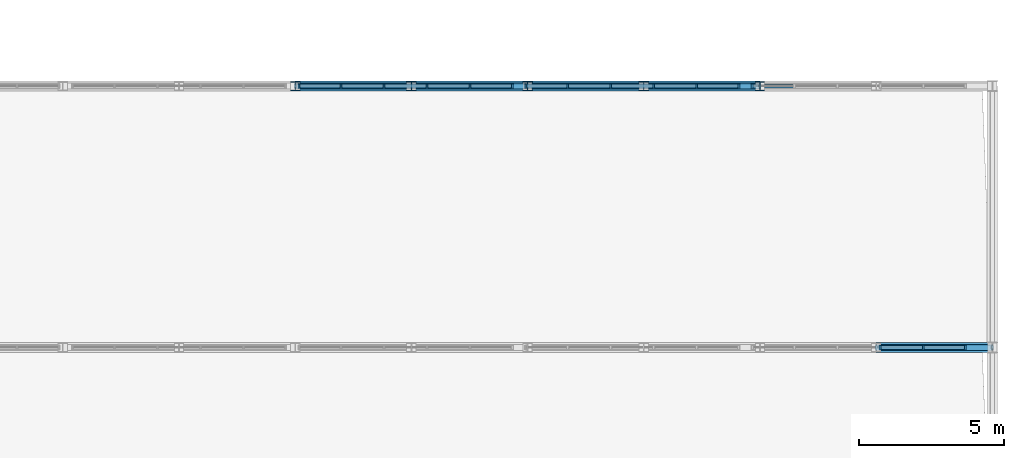
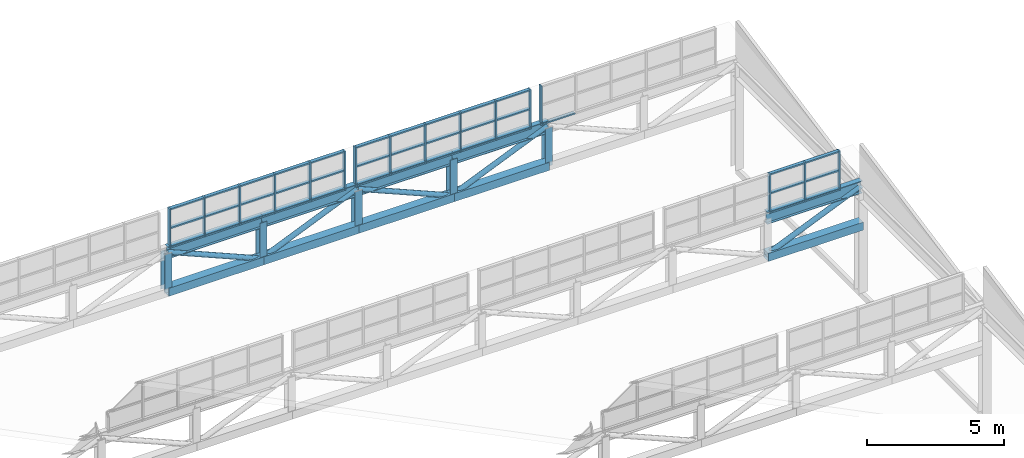
# One storey, part 92 of 159: 73 members, 4 elements without a shape of their own.
"""IFC4 building model written with IfcOpenShell, lengths in metres."""

import ifcopenshell
import ifcopenshell.guid

model = None  # the IFC model being written
_history = None  # IfcOwnerHistory: only IFC2X3 demands one
_inside = {}  # id of a spatial element -> (the spatial element, [elements in it])
_under = {}  # id of a project, library or spatial element -> (it, [spatial elements below it])
_declared = {}  # id of a project -> (the project, [libraries it declares])
_typed = {}  # id of a type object -> (the type object, [elements of that type])
_made_of = {}  # id of a material, layer set ... -> (it, [elements and type objects made of it])


def new_model(schema):
    """Start an empty IFC model of exactly this schema.

    Asked for "IFC4X3", IfcOpenShell would pick the latest addendum, in which some entities
    have other attributes; the version numbers below select the first issue.
    IFC2X3 requires an IfcOwnerHistory on every rooted entity: one is made here for all.
    """
    global model, _history
    if schema == "IFC4X3":
        model = ifcopenshell.file(schema_version=(4, 3, 0, 0))
    else:
        model = ifcopenshell.file(schema=schema)
    _inside.clear()
    _under.clear()
    _declared.clear()
    _typed.clear()
    _made_of.clear()
    _history = None
    if model.schema == "IFC2X3":
        org = make("IfcOrganization", Name="unknown")
        user = make(
            "IfcPersonAndOrganization",
            ThePerson=make("IfcPerson", FamilyName="unknown"),
            TheOrganization=org,
        )
        app = make(
            "IfcApplication",
            ApplicationDeveloper=org,
            Version="unknown",
            ApplicationFullName="unknown",
            ApplicationIdentifier="unknown",
        )
        _history = make(
            "IfcOwnerHistory",
            OwningUser=user,
            OwningApplication=app,
            ChangeAction="ADDED",
            CreationDate=0,
        )
    return model


def make(cls, **values):
    """One entity of the class cls with the attributes given. An attribute that is None is left unset."""
    return model.create_entity(
        cls, **{name: value for name, value in values.items() if value is not None}
    )


def rooted(cls, **values):
    """An entity with a GlobalId (a new one), such as an element, a storey or a relation."""
    return make(cls, GlobalId=ifcopenshell.guid.new(), OwnerHistory=_history, **values)


def si_unit(unit_type, name, prefix=None):
    """IfcSIUnit, for example si_unit("LENGTHUNIT", "METRE", prefix="MILLI")."""
    return make("IfcSIUnit", UnitType=unit_type, Prefix=prefix, Name=name)


def assignment(units):
    """IfcUnitAssignment: the units of a project."""
    return None if units is None else make("IfcUnitAssignment", Units=units)


def point(xyz):
    """IfcCartesianPoint."""
    return None if xyz is None else make("IfcCartesianPoint", Coordinates=xyz)


def direction(xyz):
    """IfcDirection."""
    return None if xyz is None else make("IfcDirection", DirectionRatios=xyz)


def frame(location, z_axis=None, x_axis=None):
    """IfcAxis2Placement3D, a coordinate frame: its origin and axes. An axis left out is left unset."""
    return make(
        "IfcAxis2Placement3D",
        Location=point(location),
        Axis=direction(z_axis),
        RefDirection=direction(x_axis),
    )


def frame_2d(location, x_axis=None):
    """IfcAxis2Placement2D, a coordinate frame in the plane: its origin and x axis."""
    return make(
        "IfcAxis2Placement2D", Location=point(location), RefDirection=direction(x_axis)
    )


def origin():
    """The frame at (0, 0, 0) with its axes left unset."""
    return frame((0.0, 0.0, 0.0))


def origin_2d():
    """The frame at (0, 0) in the plane with its x axis left unset."""
    return frame_2d((0.0, 0.0))


def place(relative_to, where):
    """IfcLocalPlacement: puts the frame where relative to a parent placement (None: the world)."""
    return make(
        "IfcLocalPlacement", PlacementRelTo=relative_to, RelativePlacement=where
    )


def context(
    kind, dimensions, precision=None, world=None, true_north=None, identifier=None
):
    """IfcGeometricRepresentationContext, for example the 3D "Model" context."""
    return make(
        "IfcGeometricRepresentationContext",
        ContextIdentifier=identifier,
        ContextType=kind,
        CoordinateSpaceDimension=dimensions,
        Precision=precision,
        WorldCoordinateSystem=world,
        TrueNorth=true_north,
    )


def subcontext(parent, identifier, kind, view, scale=None):
    """IfcGeometricRepresentationSubContext, for example "Body" below "Model"."""
    return make(
        "IfcGeometricRepresentationSubContext",
        ContextIdentifier=identifier,
        ContextType=kind,
        ParentContext=parent,
        TargetScale=scale,
        TargetView=view,
    )


def project(units=None, contexts=None):
    """IfcProject with its units and contexts."""
    return rooted(
        "IfcProject",
        Name="project",
        RepresentationContexts=contexts,
        UnitsInContext=assignment(units),
    )


def spatial(cls, under=None, at=None, **own):
    """A site, building, storey or space (cls), placed at a placement, below another one or the project."""
    s = rooted(cls, ObjectPlacement=at, **own)
    if under is not None:
        _under.setdefault(under.id(), (under, []))[1].append(s)
    return s


def profile(cls, at=None, kind="AREA", **sizes):
    """A parametric profile (cls). Its sizes go by their IFC names, for example OverallWidth=200.0."""
    return make(cls, ProfileType=kind, Position=at, **sizes)


def rectangle(**sizes):
    """IfcRectangleProfileDef."""
    return profile("IfcRectangleProfileDef", **sizes)


def hollow_rectangle(**sizes):
    """IfcRectangleHollowProfileDef."""
    return profile("IfcRectangleHollowProfileDef", **sizes)


def hollow_circle(**sizes):
    """IfcCircleHollowProfileDef."""
    return profile("IfcCircleHollowProfileDef", **sizes)


def i_section(**sizes):
    """IfcIShapeProfileDef."""
    return profile("IfcIShapeProfileDef", **sizes)


def extrude(swept, where, along, depth):
    """IfcExtrudedAreaSolid: the profile swept, set in the frame where, extruded along a direction by depth."""
    return make(
        "IfcExtrudedAreaSolid",
        SweptArea=swept,
        Position=where,
        ExtrudedDirection=direction(along),
        Depth=depth,
    )


def shape(context_of_items, identifier, shape_type, items):
    """IfcShapeRepresentation: the items that make up one representation, for example the "Body"."""
    return make(
        "IfcShapeRepresentation",
        ContextOfItems=context_of_items,
        RepresentationIdentifier=identifier,
        RepresentationType=shape_type,
        Items=items,
    )


def material(Name=None, Category=None):
    """IfcMaterial."""
    return make("IfcMaterial", Name=Name, Category=Category)


def layer(
    of_material, thickness, ventilated=None, Name=None, Category=None, Priority=None
):
    """IfcMaterialLayer: one layer of a wall or slab, of a material (None: an air gap)."""
    return make(
        "IfcMaterialLayer",
        Material=of_material,
        LayerThickness=thickness,
        IsVentilated=ventilated,
        Name=Name,
        Category=Category,
        Priority=Priority,
    )


def layer_set(layers, Name=None):
    """IfcMaterialLayerSet."""
    return make("IfcMaterialLayerSet", MaterialLayers=layers, LayerSetName=Name)


def material_profile(
    of_material, cross_section, Name=None, Category=None, Priority=None
):
    """IfcMaterialProfile: a cross section and its material."""
    return make(
        "IfcMaterialProfile",
        Name=Name,
        Material=of_material,
        Profile=cross_section,
        Priority=Priority,
        Category=Category,
    )


def profile_set(profiles, Name=None, composite=None):
    """IfcMaterialProfileSet."""
    return make(
        "IfcMaterialProfileSet",
        Name=Name,
        MaterialProfiles=profiles,
        CompositeProfile=composite,
    )


def made_of(thing, what):
    """Note that an element or type object is made of a material, layer set ...; save() writes the relation."""
    if what is not None:
        _made_of.setdefault(what.id(), (what, []))[1].append(thing)
    return thing


def type_object(cls, material=None, **own):
    """A type object (cls), such as IfcWallType, which elements share."""
    return made_of(rooted(cls, **own), material)


def element(
    cls,
    number,
    at=None,
    inside=None,
    cuts=None,
    type_object=None,
    material=None,
    context=None,
    identifier="Body",
    shape_type=None,
    held_by="IfcProductDefinitionShape",
    body=None,
    shapes=None,
    **own,
):
    """One element of the class cls, such as IfcWall. Its Tag is "e" and its number.

    at: its placement. inside: the storey or other place that contains it. cuts: it is an
    opening in that element (IfcRelVoidsElement). A single representation is given by context,
    identifier, shape_type and body (its items); several are given by shapes. held_by: the class
    of the entity that holds the representations. save() writes the other relations.
    """
    e = rooted(cls, Tag="e%d" % number, ObjectPlacement=at, **own)
    if body is not None:
        shapes = [shape(context, identifier, shape_type, body)]
    if shapes is not None:
        e.Representation = make(held_by, Representations=shapes)
    if inside is not None:
        _inside.setdefault(inside.id(), (inside, []))[1].append(e)
    if cuts is not None:
        rooted(
            "IfcRelVoidsElement", RelatingBuildingElement=cuts, RelatedOpeningElement=e
        )
    if type_object is not None:
        _typed.setdefault(type_object.id(), (type_object, []))[1].append(e)
    return made_of(e, material)


def aggregate(whole, parts):
    """IfcRelAggregates: a whole, such as a stair, and the parts it consists of."""
    return rooted("IfcRelAggregates", RelatingObject=whole, RelatedObjects=parts)


def save(model, path):
    """Write the relations noted so far, then the file.

    IfcRelAggregates (storeys below a building ...), IfcRelContainedInSpatialStructure (elements
    in a storey), IfcRelDefinesByType, IfcRelAssociatesMaterial and IfcRelDeclares: one each for
    every whole, place, type object, material and project.
    """
    for whole, parts in _under.values():
        aggregate(whole, parts)
    for where, things in _inside.values():
        rooted(
            "IfcRelContainedInSpatialStructure",
            RelatedElements=things,
            RelatingStructure=where,
        )
    for kind, things in _typed.values():
        rooted("IfcRelDefinesByType", RelatedObjects=things, RelatingType=kind)
    for what, things in _made_of.values():
        rooted("IfcRelAssociatesMaterial", RelatedObjects=things, RelatingMaterial=what)
    for by, libraries in _declared.values():
        rooted("IfcRelDeclares", RelatingContext=by, RelatedDefinitions=libraries)
    model.write(path)


model = new_model("IFC4")

# Units and contexts
model_context = context("Model", 3, precision=1e-05, world=origin(), true_north=direction((0.0, 1.0)))
body_context = subcontext(model_context, "Body", "Model", "MODEL_VIEW")
ifc_project = project(units=[si_unit("LENGTHUNIT", "METRE"), si_unit("AREAUNIT", "SQUARE_METRE"), si_unit("VOLUMEUNIT", "CUBIC_METRE"), si_unit("PLANEANGLEUNIT", "RADIAN"), si_unit("MASSUNIT", "GRAM", prefix="KILO")], contexts=[model_context])

# Site, building, storey
site_placement = place(None, origin())
site = spatial("IfcSite", under=ifc_project, at=site_placement, CompositionType="ELEMENT")
building_placement = place(site_placement, origin())
building = spatial("IfcBuilding", under=site, at=building_placement, Name="Cazmaro Siding Exhibition Halls", CompositionType="ELEMENT")
storey_placement = place(building_placement, frame((0.0, 0.0, 6.0)))
storey = spatial("IfcBuildingStorey", under=building, at=storey_placement, Name="L01", CompositionType="ELEMENT", Elevation=6.0)

# Curtain wall, members
ifc_material_1 = material(Name="Anodized Bronze Aluminum and Solar-Control Low-E Glazing", Category="aluminium")
ifc_layer = layer(ifc_material_1, 0.159912109375)
ifc_layer_set = layer_set([ifc_layer], Name="Anodized Bronze Aluminum and Solar-Control Low-E Glazing")
curtain_wall_type = type_object("IfcCurtainWallType", Name="CWS-04", PredefinedType="USERDEFINED", material=ifc_layer_set)
curtain_wall_1_placement = place(storey_placement, origin())
curtain_wall_1 = element("IfcCurtainWall", 1, at=curtain_wall_1_placement, inside=storey, type_object=curtain_wall_type, Name="Clerestory Curtain Wall CWS-04 CW-134", ObjectType="CLERESTORY CURTAIN WALL", PredefinedType="USERDEFINED")
ifc_material_2 = material(Name="Anodized Bronze Extruded Aluminum", Category="aluminium")
ifc_material_profile_1 = material_profile(ifc_material_2, rectangle(XDim=0.159912109375, YDim=0.06005859375, at=origin_2d()), Name="CWM-04")
ifc_profile_set_1 = profile_set([ifc_material_profile_1], Name="Anodized Bronze Extruded Aluminum")
member_type_1 = type_object("IfcMemberType", Name="CWM-04", PredefinedType="MULLION", material=ifc_profile_set_1)
member_1_placement = place(storey_placement, frame((215.070068359375, 109.0, 4.800048828125), z_axis=(0.0, 0.0, 1.0), x_axis=(0.0, -1.0, 0.0)))
member_1 = element("IfcMember", 2, at=member_1_placement, type_object=member_type_1, Name="CWS-04 mullion 1", PredefinedType="MULLION", context=body_context, shape_type="SweptSolid", body=[
    extrude(rectangle(XDim=0.159912109375, YDim=0.06005859375, at=origin_2d()), origin(), (0.0, 0.0, 1.0), 1.75),
])
member_2_placement = place(storey_placement, frame((213.6201171875, 109.0, 4.800048828125), z_axis=(0.0, 0.0, 1.0), x_axis=(0.0, -1.0, 0.0)))
member_2 = element("IfcMember", 3, at=member_2_placement, type_object=member_type_1, Name="CWS-04 mullion 2", PredefinedType="MULLION", context=body_context, shape_type="SweptSolid", body=[
    extrude(rectangle(XDim=0.159912109375, YDim=0.06005859375, at=origin_2d()), origin(), (0.0, 0.0, 1.0), 1.75),
])
member_3_placement = place(storey_placement, frame((212.139892578125, 109.0, 4.800048828125), z_axis=(0.0, 0.0, 1.0), x_axis=(0.0, -1.0, 0.0)))
member_3 = element("IfcMember", 4, at=member_3_placement, type_object=member_type_1, Name="CWS-04 mullion 3", PredefinedType="MULLION", context=body_context, shape_type="SweptSolid", body=[
    extrude(rectangle(XDim=0.159912109375, YDim=0.06005859375, at=origin_2d()), origin(), (0.0, 0.0, 1.0), 1.75),
])

curtain_wall_2_placement = place(storey_placement, origin())
curtain_wall_2 = element("IfcCurtainWall", 5, at=curtain_wall_2_placement, inside=storey, type_object=curtain_wall_type, Name="Clerestory Curtain Wall CWS-04 CW-137", ObjectType="CLERESTORY CURTAIN WALL", PredefinedType="USERDEFINED")
member_4_placement = place(storey_placement, frame((199.469970703125, 118.0, 4.800048828125), z_axis=(0.0, 0.0, 1.0), x_axis=(0.0, -1.0, 0.0)))
member_4 = element("IfcMember", 6, at=member_4_placement, type_object=member_type_1, Name="CWS-04 mullion 1", PredefinedType="MULLION", context=body_context, shape_type="SweptSolid", body=[
    extrude(rectangle(XDim=0.159912109375, YDim=0.06005859375, at=origin_2d()), origin(), (0.0, 0.0, 1.0), 1.75),
])
member_5_placement = place(storey_placement, frame((198.02001953125, 118.0, 4.800048828125), z_axis=(0.0, 0.0, 1.0), x_axis=(0.0, -1.0, 0.0)))
member_5 = element("IfcMember", 7, at=member_5_placement, type_object=member_type_1, Name="CWS-04 mullion 2", PredefinedType="MULLION", context=body_context, shape_type="SweptSolid", body=[
    extrude(rectangle(XDim=0.159912109375, YDim=0.06005859375, at=origin_2d()), origin(), (0.0, 0.0, 1.0), 1.75),
])
member_6_placement = place(storey_placement, frame((196.5400390625, 118.0, 4.800048828125), z_axis=(0.0, 0.0, 1.0), x_axis=(0.0, -1.0, 0.0)))
member_6 = element("IfcMember", 8, at=member_6_placement, type_object=member_type_1, Name="CWS-04 mullion 3", PredefinedType="MULLION", context=body_context, shape_type="SweptSolid", body=[
    extrude(rectangle(XDim=0.159912109375, YDim=0.06005859375, at=origin_2d()), origin(), (0.0, 0.0, 1.0), 1.75),
])
member_7_placement = place(storey_placement, frame((195.06005859375, 118.0, 4.800048828125), z_axis=(0.0, 0.0, 1.0), x_axis=(0.0, -1.0, 0.0)))
member_7 = element("IfcMember", 9, at=member_7_placement, type_object=member_type_1, Name="CWS-04 mullion 4", PredefinedType="MULLION", context=body_context, shape_type="SweptSolid", body=[
    extrude(rectangle(XDim=0.159912109375, YDim=0.06005859375, at=origin_2d()), origin(), (0.0, 0.0, 1.0), 1.75),
])
member_8_placement = place(storey_placement, frame((193.580078125, 118.0, 4.800048828125), z_axis=(0.0, 0.0, 1.0), x_axis=(0.0, -1.0, 0.0)))
member_8 = element("IfcMember", 10, at=member_8_placement, type_object=member_type_1, Name="CWS-04 mullion 5", PredefinedType="MULLION", context=body_context, shape_type="SweptSolid", body=[
    extrude(rectangle(XDim=0.159912109375, YDim=0.06005859375, at=origin_2d()), origin(), (0.0, 0.0, 1.0), 1.75),
])
member_9_placement = place(storey_placement, frame((192.1298828125, 118.0, 4.800048828125), z_axis=(0.0, 0.0, 1.0), x_axis=(0.0, -1.0, 0.0)))
member_9 = element("IfcMember", 11, at=member_9_placement, type_object=member_type_1, Name="CWS-04 mullion 6", PredefinedType="MULLION", context=body_context, shape_type="SweptSolid", body=[
    extrude(rectangle(XDim=0.159912109375, YDim=0.06005859375, at=origin_2d()), origin(), (0.0, 0.0, 1.0), 1.75),
])

curtain_wall_3_placement = place(storey_placement, origin())
curtain_wall_3 = element("IfcCurtainWall", 12, at=curtain_wall_3_placement, inside=storey, type_object=curtain_wall_type, Name="Clerestory Curtain Wall CWS-04 CW-138", ObjectType="CLERESTORY CURTAIN WALL", PredefinedType="USERDEFINED")
member_10_placement = place(storey_placement, frame((207.27001953125, 118.0, 4.800048828125), z_axis=(0.0, 0.0, 1.0), x_axis=(0.0, -1.0, 0.0)))
member_10 = element("IfcMember", 13, at=member_10_placement, type_object=member_type_1, Name="CWS-04 mullion 1", PredefinedType="MULLION", context=body_context, shape_type="SweptSolid", body=[
    extrude(rectangle(XDim=0.159912109375, YDim=0.06005859375, at=origin_2d()), origin(), (0.0, 0.0, 1.0), 1.75),
])
member_11_placement = place(storey_placement, frame((205.820068359375, 118.0, 4.800048828125), z_axis=(0.0, 0.0, 1.0), x_axis=(0.0, -1.0, 0.0)))
member_11 = element("IfcMember", 14, at=member_11_placement, type_object=member_type_1, Name="CWS-04 mullion 2", PredefinedType="MULLION", context=body_context, shape_type="SweptSolid", body=[
    extrude(rectangle(XDim=0.159912109375, YDim=0.06005859375, at=origin_2d()), origin(), (0.0, 0.0, 1.0), 1.75),
])
member_12_placement = place(storey_placement, frame((204.340087890625, 118.0, 4.800048828125), z_axis=(0.0, 0.0, 1.0), x_axis=(0.0, -1.0, 0.0)))
member_12 = element("IfcMember", 15, at=member_12_placement, type_object=member_type_1, Name="CWS-04 mullion 3", PredefinedType="MULLION", context=body_context, shape_type="SweptSolid", body=[
    extrude(rectangle(XDim=0.159912109375, YDim=0.06005859375, at=origin_2d()), origin(), (0.0, 0.0, 1.0), 1.75),
])
member_13_placement = place(storey_placement, frame((202.860107421875, 118.0, 4.800048828125), z_axis=(0.0, 0.0, 1.0), x_axis=(0.0, -1.0, 0.0)))
member_13 = element("IfcMember", 16, at=member_13_placement, type_object=member_type_1, Name="CWS-04 mullion 4", PredefinedType="MULLION", context=body_context, shape_type="SweptSolid", body=[
    extrude(rectangle(XDim=0.159912109375, YDim=0.06005859375, at=origin_2d()), origin(), (0.0, 0.0, 1.0), 1.75),
])
member_14_placement = place(storey_placement, frame((201.3798828125, 118.0, 4.800048828125), z_axis=(0.0, 0.0, 1.0), x_axis=(0.0, -1.0, 0.0)))
member_14 = element("IfcMember", 17, at=member_14_placement, type_object=member_type_1, Name="CWS-04 mullion 5", PredefinedType="MULLION", context=body_context, shape_type="SweptSolid", body=[
    extrude(rectangle(XDim=0.159912109375, YDim=0.06005859375, at=origin_2d()), origin(), (0.0, 0.0, 1.0), 1.75),
])
member_15_placement = place(storey_placement, frame((199.929931640625, 118.0, 4.800048828125), z_axis=(0.0, 0.0, 1.0), x_axis=(0.0, -1.0, 0.0)))
member_15 = element("IfcMember", 18, at=member_15_placement, type_object=member_type_1, Name="CWS-04 mullion 6", PredefinedType="MULLION", context=body_context, shape_type="SweptSolid", body=[
    extrude(rectangle(XDim=0.159912109375, YDim=0.06005859375, at=origin_2d()), origin(), (0.0, 0.0, 1.0), 1.75),
])

# Curtain wall, member
curtain_wall_4_placement = place(storey_placement, origin())
curtain_wall_4 = element("IfcCurtainWall", 19, at=curtain_wall_4_placement, inside=storey, type_object=curtain_wall_type, Name="Clerestory Curtain Wall CWS-04 CW-139", ObjectType="CLERESTORY CURTAIN WALL", PredefinedType="USERDEFINED")
member_16_placement = place(storey_placement, frame((207.72998046875, 118.0, 4.800048828125), z_axis=(0.0, 0.0, 1.0), x_axis=(0.0, -1.0, 0.0)))
member_16 = element("IfcMember", 20, at=member_16_placement, type_object=member_type_1, Name="CWS-04 mullion 6", PredefinedType="MULLION", context=body_context, shape_type="SweptSolid", body=[
    extrude(rectangle(XDim=0.159912109375, YDim=0.06005859375, at=origin_2d()), origin(), (0.0, 0.0, 1.0), 1.75),
])

# Member
ifc_material_3 = material(Name="Anodized Bronze Extruded Aluminum", Category="aluminium")
ifc_material_profile_2 = material_profile(ifc_material_3, rectangle(XDim=0.139892578125, YDim=0.06005859375, at=origin_2d()), Name="CWT-04")
ifc_profile_set_2 = profile_set([ifc_material_profile_2], Name="Anodized Bronze Extruded Aluminum")
member_type_2 = type_object("IfcMemberType", Name="CWT-04", PredefinedType="MULLION", material=ifc_profile_set_2)
member_17_placement = place(storey_placement, frame((215.0400390625, 109.0, 4.830078125), z_axis=(-1.0, 0.0, 0.0), x_axis=(0.0, -1.0, 0.0)))
member_17 = element("IfcMember", 21, at=member_17_placement, type_object=member_type_2, Name="CWS-04 transom 1.1", ObjectType="TRANSOM", PredefinedType="USERDEFINED", context=body_context, shape_type="SweptSolid", body=[
    extrude(rectangle(XDim=0.139892578125, YDim=0.06005859375, at=origin_2d()), origin(), (0.0, 0.0, 1.0), 1.39013671875),
])

member_18_placement = place(storey_placement, frame((215.0400390625, 109.0, 5.679931640625), z_axis=(-1.0, 0.0, 0.0), x_axis=(0.0, -1.0, 0.0)))
member_18 = element("IfcMember", 22, at=member_18_placement, type_object=member_type_2, Name="CWS-04 transom 1.2", ObjectType="TRANSOM", PredefinedType="USERDEFINED", context=body_context, shape_type="SweptSolid", body=[
    extrude(rectangle(XDim=0.139892578125, YDim=0.06005859375, at=origin_2d()), origin(), (0.0, 0.0, 1.0), 1.39013671875),
])

member_19_placement = place(storey_placement, frame((215.0400390625, 109.0, 6.52001953125), z_axis=(-1.0, 0.0, 0.0), x_axis=(0.0, -1.0, 0.0)))
member_19 = element("IfcMember", 23, at=member_19_placement, type_object=member_type_2, Name="CWS-04 transom 1.3", ObjectType="TRANSOM", PredefinedType="USERDEFINED", context=body_context, shape_type="SweptSolid", body=[
    extrude(rectangle(XDim=0.139892578125, YDim=0.06005859375, at=origin_2d()), origin(), (0.0, 0.0, 1.0), 1.39013671875),
])

member_20_placement = place(storey_placement, frame((213.590087890625, 109.0, 4.830078125), z_axis=(-1.0, 0.0, 0.0), x_axis=(0.0, -1.0, 0.0)))
member_20 = element("IfcMember", 24, at=member_20_placement, type_object=member_type_2, Name="CWS-04 transom 2.1", ObjectType="TRANSOM", PredefinedType="USERDEFINED", context=body_context, shape_type="SweptSolid", body=[
    extrude(rectangle(XDim=0.139892578125, YDim=0.06005859375, at=origin_2d()), origin(), (0.0, 0.0, 1.0), 1.420166015625),
])

member_21_placement = place(storey_placement, frame((213.590087890625, 109.0, 5.679931640625), z_axis=(-1.0, 0.0, 0.0), x_axis=(0.0, -1.0, 0.0)))
member_21 = element("IfcMember", 25, at=member_21_placement, type_object=member_type_2, Name="CWS-04 transom 2.2", ObjectType="TRANSOM", PredefinedType="USERDEFINED", context=body_context, shape_type="SweptSolid", body=[
    extrude(rectangle(XDim=0.139892578125, YDim=0.06005859375, at=origin_2d()), origin(), (0.0, 0.0, 1.0), 1.420166015625),
])

member_22_placement = place(storey_placement, frame((213.590087890625, 109.0, 6.52001953125), z_axis=(-1.0, 0.0, 0.0), x_axis=(0.0, -1.0, 0.0)))
member_22 = element("IfcMember", 26, at=member_22_placement, type_object=member_type_2, Name="CWS-04 transom 2.3", ObjectType="TRANSOM", PredefinedType="USERDEFINED", context=body_context, shape_type="SweptSolid", body=[
    extrude(rectangle(XDim=0.139892578125, YDim=0.06005859375, at=origin_2d()), origin(), (0.0, 0.0, 1.0), 1.420166015625),
])

aggregate(curtain_wall_1, [member_1, member_2, member_3, member_17, member_18, member_19, member_20, member_21, member_22])

member_23_placement = place(storey_placement, frame((199.43994140625, 118.0, 4.830078125), z_axis=(-1.0, 0.0, 0.0), x_axis=(0.0, -1.0, 0.0)))
member_23 = element("IfcMember", 27, at=member_23_placement, type_object=member_type_2, Name="CWS-04 transom 1.1", ObjectType="TRANSOM", PredefinedType="USERDEFINED", context=body_context, shape_type="SweptSolid", body=[
    extrude(rectangle(XDim=0.139892578125, YDim=0.06005859375, at=origin_2d()), origin(), (0.0, 0.0, 1.0), 1.389892578125),
])

member_24_placement = place(storey_placement, frame((199.43994140625, 118.0, 5.679931640625), z_axis=(-1.0, 0.0, 0.0), x_axis=(0.0, -1.0, 0.0)))
member_24 = element("IfcMember", 28, at=member_24_placement, type_object=member_type_2, Name="CWS-04 transom 1.2", ObjectType="TRANSOM", PredefinedType="USERDEFINED", context=body_context, shape_type="SweptSolid", body=[
    extrude(rectangle(XDim=0.139892578125, YDim=0.06005859375, at=origin_2d()), origin(), (0.0, 0.0, 1.0), 1.389892578125),
])

member_25_placement = place(storey_placement, frame((199.43994140625, 118.0, 6.52001953125), z_axis=(-1.0, 0.0, 0.0), x_axis=(0.0, -1.0, 0.0)))
member_25 = element("IfcMember", 29, at=member_25_placement, type_object=member_type_2, Name="CWS-04 transom 1.3", ObjectType="TRANSOM", PredefinedType="USERDEFINED", context=body_context, shape_type="SweptSolid", body=[
    extrude(rectangle(XDim=0.139892578125, YDim=0.06005859375, at=origin_2d()), origin(), (0.0, 0.0, 1.0), 1.389892578125),
])

member_26_placement = place(storey_placement, frame((197.989990234375, 118.0, 4.830078125), z_axis=(-1.0, 0.0, 0.0), x_axis=(0.0, -1.0, 0.0)))
member_26 = element("IfcMember", 30, at=member_26_placement, type_object=member_type_2, Name="CWS-04 transom 2.1", ObjectType="TRANSOM", PredefinedType="USERDEFINED", context=body_context, shape_type="SweptSolid", body=[
    extrude(rectangle(XDim=0.139892578125, YDim=0.06005859375, at=origin_2d()), origin(), (0.0, 0.0, 1.0), 1.419921875),
])

member_27_placement = place(storey_placement, frame((197.989990234375, 118.0, 5.679931640625), z_axis=(-1.0, 0.0, 0.0), x_axis=(0.0, -1.0, 0.0)))
member_27 = element("IfcMember", 31, at=member_27_placement, type_object=member_type_2, Name="CWS-04 transom 2.2", ObjectType="TRANSOM", PredefinedType="USERDEFINED", context=body_context, shape_type="SweptSolid", body=[
    extrude(rectangle(XDim=0.139892578125, YDim=0.06005859375, at=origin_2d()), origin(), (0.0, 0.0, 1.0), 1.419921875),
])

member_28_placement = place(storey_placement, frame((197.989990234375, 118.0, 6.52001953125), z_axis=(-1.0, 0.0, 0.0), x_axis=(0.0, -1.0, 0.0)))
member_28 = element("IfcMember", 32, at=member_28_placement, type_object=member_type_2, Name="CWS-04 transom 2.3", ObjectType="TRANSOM", PredefinedType="USERDEFINED", context=body_context, shape_type="SweptSolid", body=[
    extrude(rectangle(XDim=0.139892578125, YDim=0.06005859375, at=origin_2d()), origin(), (0.0, 0.0, 1.0), 1.419921875),
])

member_29_placement = place(storey_placement, frame((196.510009765625, 118.0, 4.830078125), z_axis=(-1.0, 0.0, 0.0), x_axis=(0.0, -1.0, 0.0)))
member_29 = element("IfcMember", 33, at=member_29_placement, type_object=member_type_2, Name="CWS-04 transom 3.1", ObjectType="TRANSOM", PredefinedType="USERDEFINED", context=body_context, shape_type="SweptSolid", body=[
    extrude(rectangle(XDim=0.139892578125, YDim=0.06005859375, at=origin_2d()), origin(), (0.0, 0.0, 1.0), 1.419921875),
])

member_30_placement = place(storey_placement, frame((196.510009765625, 118.0, 5.679931640625), z_axis=(-1.0, 0.0, 0.0), x_axis=(0.0, -1.0, 0.0)))
member_30 = element("IfcMember", 34, at=member_30_placement, type_object=member_type_2, Name="CWS-04 transom 3.2", ObjectType="TRANSOM", PredefinedType="USERDEFINED", context=body_context, shape_type="SweptSolid", body=[
    extrude(rectangle(XDim=0.139892578125, YDim=0.06005859375, at=origin_2d()), origin(), (0.0, 0.0, 1.0), 1.419921875),
])

member_31_placement = place(storey_placement, frame((196.510009765625, 118.0, 6.52001953125), z_axis=(-1.0, 0.0, 0.0), x_axis=(0.0, -1.0, 0.0)))
member_31 = element("IfcMember", 35, at=member_31_placement, type_object=member_type_2, Name="CWS-04 transom 3.3", ObjectType="TRANSOM", PredefinedType="USERDEFINED", context=body_context, shape_type="SweptSolid", body=[
    extrude(rectangle(XDim=0.139892578125, YDim=0.06005859375, at=origin_2d()), origin(), (0.0, 0.0, 1.0), 1.419921875),
])

member_32_placement = place(storey_placement, frame((195.030029296875, 118.0, 4.830078125), z_axis=(-1.0, 0.0, 0.0), x_axis=(0.0, -1.0, 0.0)))
member_32 = element("IfcMember", 36, at=member_32_placement, type_object=member_type_2, Name="CWS-04 transom 4.1", ObjectType="TRANSOM", PredefinedType="USERDEFINED", context=body_context, shape_type="SweptSolid", body=[
    extrude(rectangle(XDim=0.139892578125, YDim=0.06005859375, at=origin_2d()), origin(), (0.0, 0.0, 1.0), 1.419921875),
])

member_33_placement = place(storey_placement, frame((195.030029296875, 118.0, 5.679931640625), z_axis=(-1.0, 0.0, 0.0), x_axis=(0.0, -1.0, 0.0)))
member_33 = element("IfcMember", 37, at=member_33_placement, type_object=member_type_2, Name="CWS-04 transom 4.2", ObjectType="TRANSOM", PredefinedType="USERDEFINED", context=body_context, shape_type="SweptSolid", body=[
    extrude(rectangle(XDim=0.139892578125, YDim=0.06005859375, at=origin_2d()), origin(), (0.0, 0.0, 1.0), 1.419921875),
])

member_34_placement = place(storey_placement, frame((195.030029296875, 118.0, 6.52001953125), z_axis=(-1.0, 0.0, 0.0), x_axis=(0.0, -1.0, 0.0)))
member_34 = element("IfcMember", 38, at=member_34_placement, type_object=member_type_2, Name="CWS-04 transom 4.3", ObjectType="TRANSOM", PredefinedType="USERDEFINED", context=body_context, shape_type="SweptSolid", body=[
    extrude(rectangle(XDim=0.139892578125, YDim=0.06005859375, at=origin_2d()), origin(), (0.0, 0.0, 1.0), 1.419921875),
])

member_35_placement = place(storey_placement, frame((193.550048828125, 118.0, 4.830078125), z_axis=(-1.0, 0.0, 0.0), x_axis=(0.0, -1.0, 0.0)))
member_35 = element("IfcMember", 39, at=member_35_placement, type_object=member_type_2, Name="CWS-04 transom 5.1", ObjectType="TRANSOM", PredefinedType="USERDEFINED", context=body_context, shape_type="SweptSolid", body=[
    extrude(rectangle(XDim=0.139892578125, YDim=0.06005859375, at=origin_2d()), origin(), (0.0, 0.0, 1.0), 1.39013671875),
])

member_36_placement = place(storey_placement, frame((193.550048828125, 118.0, 5.679931640625), z_axis=(-1.0, 0.0, 0.0), x_axis=(0.0, -1.0, 0.0)))
member_36 = element("IfcMember", 40, at=member_36_placement, type_object=member_type_2, Name="CWS-04 transom 5.2", ObjectType="TRANSOM", PredefinedType="USERDEFINED", context=body_context, shape_type="SweptSolid", body=[
    extrude(rectangle(XDim=0.139892578125, YDim=0.06005859375, at=origin_2d()), origin(), (0.0, 0.0, 1.0), 1.39013671875),
])

member_37_placement = place(storey_placement, frame((193.550048828125, 118.0, 6.52001953125), z_axis=(-1.0, 0.0, 0.0), x_axis=(0.0, -1.0, 0.0)))
member_37 = element("IfcMember", 41, at=member_37_placement, type_object=member_type_2, Name="CWS-04 transom 5.3", ObjectType="TRANSOM", PredefinedType="USERDEFINED", context=body_context, shape_type="SweptSolid", body=[
    extrude(rectangle(XDim=0.139892578125, YDim=0.06005859375, at=origin_2d()), origin(), (0.0, 0.0, 1.0), 1.39013671875),
])

aggregate(curtain_wall_2, [member_4, member_5, member_6, member_7, member_8, member_9, member_23, member_24, member_25, member_26, member_27, member_28, member_29, member_30, member_31, member_32, member_33, member_34, member_35, member_36, member_37])

member_38_placement = place(storey_placement, frame((207.239990234375, 118.0, 4.830078125), z_axis=(-1.0, 0.0, 0.0), x_axis=(0.0, -1.0, 0.0)))
member_38 = element("IfcMember", 42, at=member_38_placement, type_object=member_type_2, Name="CWS-04 transom 1.1", ObjectType="TRANSOM", PredefinedType="USERDEFINED", context=body_context, shape_type="SweptSolid", body=[
    extrude(rectangle(XDim=0.139892578125, YDim=0.06005859375, at=origin_2d()), origin(), (0.0, 0.0, 1.0), 1.389892578125),
])

member_39_placement = place(storey_placement, frame((207.239990234375, 118.0, 5.679931640625), z_axis=(-1.0, 0.0, 0.0), x_axis=(0.0, -1.0, 0.0)))
member_39 = element("IfcMember", 43, at=member_39_placement, type_object=member_type_2, Name="CWS-04 transom 1.2", ObjectType="TRANSOM", PredefinedType="USERDEFINED", context=body_context, shape_type="SweptSolid", body=[
    extrude(rectangle(XDim=0.139892578125, YDim=0.06005859375, at=origin_2d()), origin(), (0.0, 0.0, 1.0), 1.389892578125),
])

member_40_placement = place(storey_placement, frame((207.239990234375, 118.0, 6.52001953125), z_axis=(-1.0, 0.0, 0.0), x_axis=(0.0, -1.0, 0.0)))
member_40 = element("IfcMember", 44, at=member_40_placement, type_object=member_type_2, Name="CWS-04 transom 1.3", ObjectType="TRANSOM", PredefinedType="USERDEFINED", context=body_context, shape_type="SweptSolid", body=[
    extrude(rectangle(XDim=0.139892578125, YDim=0.06005859375, at=origin_2d()), origin(), (0.0, 0.0, 1.0), 1.389892578125),
])

member_41_placement = place(storey_placement, frame((205.7900390625, 118.0, 4.830078125), z_axis=(-1.0, 0.0, 0.0), x_axis=(0.0, -1.0, 0.0)))
member_41 = element("IfcMember", 45, at=member_41_placement, type_object=member_type_2, Name="CWS-04 transom 2.1", ObjectType="TRANSOM", PredefinedType="USERDEFINED", context=body_context, shape_type="SweptSolid", body=[
    extrude(rectangle(XDim=0.139892578125, YDim=0.06005859375, at=origin_2d()), origin(), (0.0, 0.0, 1.0), 1.419921875),
])

member_42_placement = place(storey_placement, frame((205.7900390625, 118.0, 5.679931640625), z_axis=(-1.0, 0.0, 0.0), x_axis=(0.0, -1.0, 0.0)))
member_42 = element("IfcMember", 46, at=member_42_placement, type_object=member_type_2, Name="CWS-04 transom 2.2", ObjectType="TRANSOM", PredefinedType="USERDEFINED", context=body_context, shape_type="SweptSolid", body=[
    extrude(rectangle(XDim=0.139892578125, YDim=0.06005859375, at=origin_2d()), origin(), (0.0, 0.0, 1.0), 1.419921875),
])

member_43_placement = place(storey_placement, frame((205.7900390625, 118.0, 6.52001953125), z_axis=(-1.0, 0.0, 0.0), x_axis=(0.0, -1.0, 0.0)))
member_43 = element("IfcMember", 47, at=member_43_placement, type_object=member_type_2, Name="CWS-04 transom 2.3", ObjectType="TRANSOM", PredefinedType="USERDEFINED", context=body_context, shape_type="SweptSolid", body=[
    extrude(rectangle(XDim=0.139892578125, YDim=0.06005859375, at=origin_2d()), origin(), (0.0, 0.0, 1.0), 1.419921875),
])

member_44_placement = place(storey_placement, frame((204.31005859375, 118.0, 4.830078125), z_axis=(-1.0, 0.0, 0.0), x_axis=(0.0, -1.0, 0.0)))
member_44 = element("IfcMember", 48, at=member_44_placement, type_object=member_type_2, Name="CWS-04 transom 3.1", ObjectType="TRANSOM", PredefinedType="USERDEFINED", context=body_context, shape_type="SweptSolid", body=[
    extrude(rectangle(XDim=0.139892578125, YDim=0.06005859375, at=origin_2d()), origin(), (0.0, 0.0, 1.0), 1.420166015625),
])

member_45_placement = place(storey_placement, frame((204.31005859375, 118.0, 5.679931640625), z_axis=(-1.0, 0.0, 0.0), x_axis=(0.0, -1.0, 0.0)))
member_45 = element("IfcMember", 49, at=member_45_placement, type_object=member_type_2, Name="CWS-04 transom 3.2", ObjectType="TRANSOM", PredefinedType="USERDEFINED", context=body_context, shape_type="SweptSolid", body=[
    extrude(rectangle(XDim=0.139892578125, YDim=0.06005859375, at=origin_2d()), origin(), (0.0, 0.0, 1.0), 1.420166015625),
])

member_46_placement = place(storey_placement, frame((204.31005859375, 118.0, 6.52001953125), z_axis=(-1.0, 0.0, 0.0), x_axis=(0.0, -1.0, 0.0)))
member_46 = element("IfcMember", 50, at=member_46_placement, type_object=member_type_2, Name="CWS-04 transom 3.3", ObjectType="TRANSOM", PredefinedType="USERDEFINED", context=body_context, shape_type="SweptSolid", body=[
    extrude(rectangle(XDim=0.139892578125, YDim=0.06005859375, at=origin_2d()), origin(), (0.0, 0.0, 1.0), 1.420166015625),
])

member_47_placement = place(storey_placement, frame((202.830078125, 118.0, 4.830078125), z_axis=(-1.0, 0.0, 0.0), x_axis=(0.0, -1.0, 0.0)))
member_47 = element("IfcMember", 51, at=member_47_placement, type_object=member_type_2, Name="CWS-04 transom 4.1", ObjectType="TRANSOM", PredefinedType="USERDEFINED", context=body_context, shape_type="SweptSolid", body=[
    extrude(rectangle(XDim=0.139892578125, YDim=0.06005859375, at=origin_2d()), origin(), (0.0, 0.0, 1.0), 1.420166015625),
])

member_48_placement = place(storey_placement, frame((202.830078125, 118.0, 5.679931640625), z_axis=(-1.0, 0.0, 0.0), x_axis=(0.0, -1.0, 0.0)))
member_48 = element("IfcMember", 52, at=member_48_placement, type_object=member_type_2, Name="CWS-04 transom 4.2", ObjectType="TRANSOM", PredefinedType="USERDEFINED", context=body_context, shape_type="SweptSolid", body=[
    extrude(rectangle(XDim=0.139892578125, YDim=0.06005859375, at=origin_2d()), origin(), (0.0, 0.0, 1.0), 1.420166015625),
])

member_49_placement = place(storey_placement, frame((202.830078125, 118.0, 6.52001953125), z_axis=(-1.0, 0.0, 0.0), x_axis=(0.0, -1.0, 0.0)))
member_49 = element("IfcMember", 53, at=member_49_placement, type_object=member_type_2, Name="CWS-04 transom 4.3", ObjectType="TRANSOM", PredefinedType="USERDEFINED", context=body_context, shape_type="SweptSolid", body=[
    extrude(rectangle(XDim=0.139892578125, YDim=0.06005859375, at=origin_2d()), origin(), (0.0, 0.0, 1.0), 1.420166015625),
])

member_50_placement = place(storey_placement, frame((201.35009765625, 118.0, 4.830078125), z_axis=(-1.0, 0.0, 0.0), x_axis=(0.0, -1.0, 0.0)))
member_50 = element("IfcMember", 54, at=member_50_placement, type_object=member_type_2, Name="CWS-04 transom 5.1", ObjectType="TRANSOM", PredefinedType="USERDEFINED", context=body_context, shape_type="SweptSolid", body=[
    extrude(rectangle(XDim=0.139892578125, YDim=0.06005859375, at=origin_2d()), origin(), (0.0, 0.0, 1.0), 1.39013671875),
])

member_51_placement = place(storey_placement, frame((201.35009765625, 118.0, 5.679931640625), z_axis=(-1.0, 0.0, 0.0), x_axis=(0.0, -1.0, 0.0)))
member_51 = element("IfcMember", 55, at=member_51_placement, type_object=member_type_2, Name="CWS-04 transom 5.2", ObjectType="TRANSOM", PredefinedType="USERDEFINED", context=body_context, shape_type="SweptSolid", body=[
    extrude(rectangle(XDim=0.139892578125, YDim=0.06005859375, at=origin_2d()), origin(), (0.0, 0.0, 1.0), 1.39013671875),
])

member_52_placement = place(storey_placement, frame((201.35009765625, 118.0, 6.52001953125), z_axis=(-1.0, 0.0, 0.0), x_axis=(0.0, -1.0, 0.0)))
member_52 = element("IfcMember", 56, at=member_52_placement, type_object=member_type_2, Name="CWS-04 transom 5.3", ObjectType="TRANSOM", PredefinedType="USERDEFINED", context=body_context, shape_type="SweptSolid", body=[
    extrude(rectangle(XDim=0.139892578125, YDim=0.06005859375, at=origin_2d()), origin(), (0.0, 0.0, 1.0), 1.39013671875),
])

aggregate(curtain_wall_3, [member_10, member_11, member_12, member_13, member_14, member_15, member_38, member_39, member_40, member_41, member_42, member_43, member_44, member_45, member_46, member_47, member_48, member_49, member_50, member_51, member_52])

member_53_placement = place(storey_placement, frame((209.14990234375, 118.0, 4.830078125), z_axis=(-1.0, 0.0, 0.0), x_axis=(0.0, -1.0, 0.0)))
member_53 = element("IfcMember", 57, at=member_53_placement, type_object=member_type_2, Name="CWS-04 transom 5.1", ObjectType="TRANSOM", PredefinedType="USERDEFINED", context=body_context, shape_type="SweptSolid", body=[
    extrude(rectangle(XDim=0.139892578125, YDim=0.06005859375, at=origin_2d()), origin(), (0.0, 0.0, 1.0), 1.389892578125),
])

aggregate(curtain_wall_4, [member_16, member_53])

# Members
ifc_material_4 = material(Name="Steel ASTM A992 Grade 50", Category="steel")
ifc_material_profile_3 = material_profile(ifc_material_4, i_section(OverallWidth=0.214111328125, OverallDepth=0.549072265625, WebThickness=0.014892578125, FlangeThickness=0.02392578125, at=origin_2d()), Name="W21X93")
ifc_profile_set_3 = profile_set([ifc_material_profile_3], Name="Steel ASTM A992 Grade 50")
member_type_3 = type_object("IfcMemberType", Name="TC-04", PredefinedType="CHORD", material=ifc_profile_set_3)
for number, where, z_axis, x_axis, name in (
    (58, (212.0, 109.0, 4.64990234375), (1.0, 0.0, 0.0), (0.0, 1.0, 0.0), "Sawtooth truss top chord TC-04 MEM-3193"),
    (59, (192.0, 118.0, 4.64990234375), (1.0, 0.0, 0.0), (0.0, 1.0, 0.0), "Sawtooth truss top chord TC-04 MEM-3217"),
    (60, (196.0, 118.0, 4.64990234375), (1.0, 0.0, 0.0), (0.0, 1.0, 0.0), "Sawtooth truss top chord TC-04 MEM-3220"),
    (61, (200.0, 118.0, 4.64990234375), (1.0, 0.0, 0.0), (0.0, 1.0, 0.0), "Sawtooth truss top chord TC-04 MEM-3223"),
    (62, (204.0, 118.0, 4.64990234375), (1.0, 0.0, 0.0), (0.0, 1.0, 0.0), "Sawtooth truss top chord TC-04 MEM-3226"),
):
    element("IfcMember", number, at=place(storey_placement, frame(where, z_axis=z_axis, x_axis=x_axis)), inside=storey, type_object=member_type_3, Name=name, PredefinedType="CHORD", context=body_context, shape_type="SweptSolid", body=[
        extrude(i_section(OverallWidth=0.214111328125, OverallDepth=0.549072265625, WebThickness=0.014892578125, FlangeThickness=0.02392578125, at=origin_2d()), origin(), (0.0, 0.0, 1.0), 4.0),
    ])
ifc_material_5 = material(Name="Steel ASTM A500 Grade C", Category="steel")
ifc_material_profile_4 = material_profile(ifc_material_5, hollow_rectangle(XDim=0.35595703125, YDim=0.35595703125, WallThickness=0.014892578125, at=origin_2d()), Name="HSS14X14X5/8")
ifc_profile_set_4 = profile_set([ifc_material_profile_4], Name="Steel ASTM A500 Grade C")
member_type_4 = type_object("IfcMemberType", Name="TC-05", PredefinedType="CHORD", material=ifc_profile_set_4)
for number, where, z_axis, x_axis, name in (
    (63, (212.0, 109.0, 2.949951171875), (1.0, 0.0, 0.0), (0.0, 1.0, 0.0), "Sawtooth truss bottom chord TC-05 MEM-3194"),
    (64, (192.0, 118.0, 2.949951171875), (1.0, 0.0, 0.0), (0.0, 1.0, 0.0), "Sawtooth truss bottom chord TC-05 MEM-3218"),
    (65, (196.0, 118.0, 2.949951171875), (1.0, 0.0, 0.0), (0.0, 1.0, 0.0), "Sawtooth truss bottom chord TC-05 MEM-3221"),
    (66, (200.0, 118.0, 2.949951171875), (1.0, 0.0, 0.0), (0.0, 1.0, 0.0), "Sawtooth truss bottom chord TC-05 MEM-3224"),
    (67, (204.0, 118.0, 2.949951171875), (1.0, 0.0, 0.0), (0.0, 1.0, 0.0), "Sawtooth truss bottom chord TC-05 MEM-3227"),
):
    element("IfcMember", number, at=place(storey_placement, frame(where, z_axis=z_axis, x_axis=x_axis)), inside=storey, type_object=member_type_4, Name=name, PredefinedType="CHORD", context=body_context, shape_type="SweptSolid", body=[
        extrude(hollow_rectangle(XDim=0.35595703125, YDim=0.35595703125, WallThickness=0.014892578125, at=origin_2d()), origin(), (0.0, 0.0, 1.0), 4.0),
    ])
ifc_material_6 = material(Name="Steel ASTM A992 Grade 50", Category="steel")
ifc_material_profile_5 = material_profile(ifc_material_6, i_section(OverallWidth=0.304931640625, OverallDepth=0.306884765625, WebThickness=0.010009765625, FlangeThickness=0.014892578125, at=origin_2d()), Name="W12X65")
ifc_profile_set_5 = profile_set([ifc_material_profile_5], Name="Steel ASTM A992 Grade 50")
member_type_5 = type_object("IfcMemberType", Name="TP-03", PredefinedType="POST", material=ifc_profile_set_5)
for number, where, z_axis, x_axis, name in (
    (68, (192.0, 118.0, 2.949951171875), (0.0, 0.0, 1.0), (1.0, 0.0, 0.0), "Sawtooth truss post TP-03 MEM-3238"),
    (69, (196.0, 118.0, 2.949951171875), (0.0, 0.0, 1.0), (1.0, 0.0, 0.0), "Sawtooth truss post TP-03 MEM-3239"),
    (70, (200.0, 118.0, 2.949951171875), (0.0, 0.0, 1.0), (1.0, 0.0, 0.0), "Sawtooth truss post TP-03 MEM-3240"),
    (71, (204.0, 118.0, 2.949951171875), (0.0, 0.0, 1.0), (1.0, 0.0, 0.0), "Sawtooth truss post TP-03 MEM-3241"),
    (72, (208.0, 118.0, 2.949951171875), (0.0, 0.0, 1.0), (1.0, 0.0, 0.0), "Sawtooth truss post TP-03 MEM-3242"),
):
    element("IfcMember", number, at=place(storey_placement, frame(where, z_axis=z_axis, x_axis=x_axis)), inside=storey, type_object=member_type_5, Name=name, PredefinedType="POST", context=body_context, shape_type="SweptSolid", body=[
        extrude(i_section(OverallWidth=0.304931640625, OverallDepth=0.306884765625, WebThickness=0.010009765625, FlangeThickness=0.014892578125, at=origin_2d()), origin(), (0.0, 0.0, 1.0), 1.699951171875),
    ])
ifc_material_7 = material(Name="Steel ASTM A500 Grade C", Category="steel")
ifc_material_profile_6 = material_profile(ifc_material_7, hollow_circle(Radius=0.109619140625, WallThickness=0.012939453125, at=origin_2d()), Name="PIPE8XS")
ifc_profile_set_6 = profile_set([ifc_material_profile_6], Name="Steel ASTM A500 Grade C")
member_type_6 = type_object("IfcMemberType", Name="WB-01", PredefinedType="BRACE", material=ifc_profile_set_6)
for number, where, z_axis, x_axis, name in (
    (73, (212.0, 109.0, 2.949951171875), (0.920334962612, 0.0, 0.391131124553), (0.0, 1.0, 0.0), "Sawtooth truss diagonal WB-01 MEM-3195"),
    (74, (192.0, 118.0, 4.64990234375), (0.920334962612, 0.0, -0.391131124553), (0.0, 1.0, 0.0), "Sawtooth truss diagonal WB-01 MEM-3219"),
    (75, (196.0, 118.0, 2.949951171875), (0.920334962612, 0.0, 0.391131124553), (0.0, 1.0, 0.0), "Sawtooth truss diagonal WB-01 MEM-3222"),
    (76, (200.0, 118.0, 4.64990234375), (0.920334962612, 0.0, -0.391131124553), (0.0, 1.0, 0.0), "Sawtooth truss diagonal WB-01 MEM-3225"),
    (77, (204.0, 118.0, 2.949951171875), (0.920334962612, 0.0, 0.391131124553), (0.0, 1.0, 0.0), "Sawtooth truss diagonal WB-01 MEM-3228"),
):
    element("IfcMember", number, at=place(storey_placement, frame(where, z_axis=z_axis, x_axis=x_axis)), inside=storey, type_object=member_type_6, Name=name, PredefinedType="BRACE", context=body_context, shape_type="SweptSolid", body=[
        extrude(hollow_circle(Radius=0.109619140625, WallThickness=0.012939453125, at=origin_2d()), origin(), (0.0, 0.0, 1.0), 4.34619140625),
    ])

save(model, "model.ifc")
